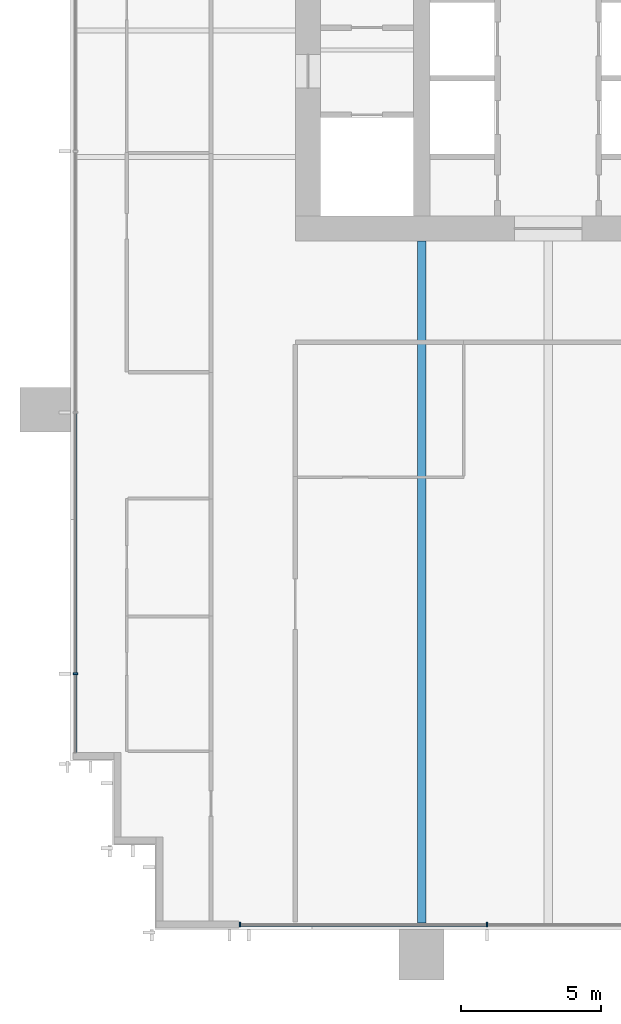
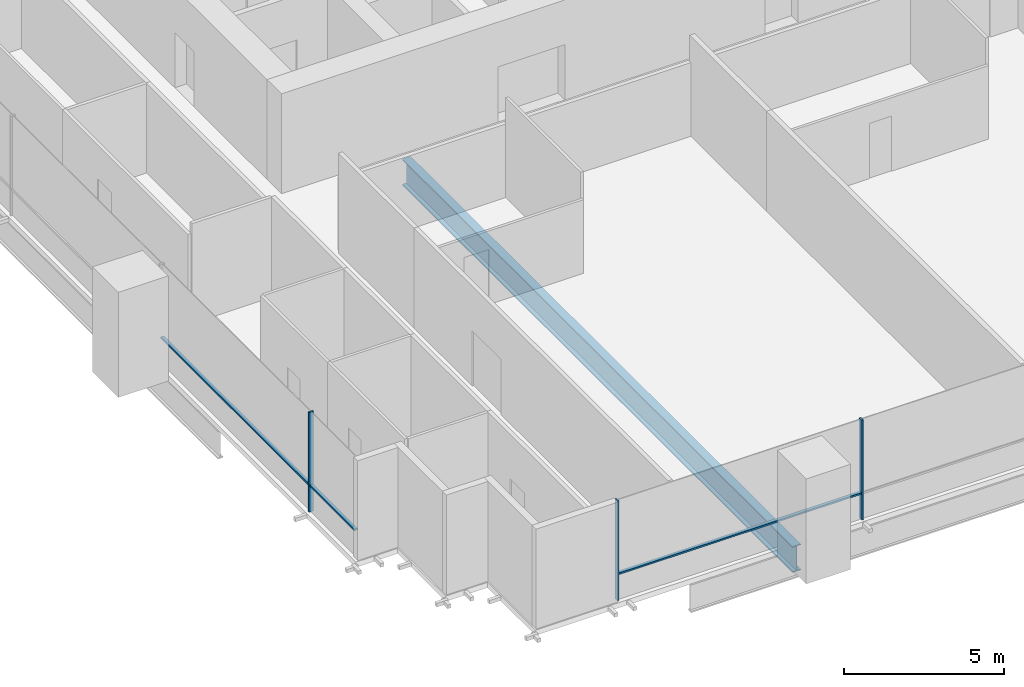
# One storey, part 2 of 17: 6 members, 1 beam, 2 elements without a shape of their own.
"""IFC4 building model written with IfcOpenShell, lengths in metres."""

import ifcopenshell
import ifcopenshell.guid

model = None  # the IFC model being written
_history = None  # IfcOwnerHistory: only IFC2X3 demands one
_inside = {}  # id of a spatial element -> (the spatial element, [elements in it])
_under = {}  # id of a project, library or spatial element -> (it, [spatial elements below it])
_declared = {}  # id of a project -> (the project, [libraries it declares])
_typed = {}  # id of a type object -> (the type object, [elements of that type])
_made_of = {}  # id of a material, layer set ... -> (it, [elements and type objects made of it])


def new_model(schema):
    """Start an empty IFC model of exactly this schema.

    Asked for "IFC4X3", IfcOpenShell would pick the latest addendum, in which some entities
    have other attributes; the version numbers below select the first issue.
    IFC2X3 requires an IfcOwnerHistory on every rooted entity: one is made here for all.
    """
    global model, _history
    if schema == "IFC4X3":
        model = ifcopenshell.file(schema_version=(4, 3, 0, 0))
    else:
        model = ifcopenshell.file(schema=schema)
    _inside.clear()
    _under.clear()
    _declared.clear()
    _typed.clear()
    _made_of.clear()
    _history = None
    if model.schema == "IFC2X3":
        org = make("IfcOrganization", Name="unknown")
        user = make(
            "IfcPersonAndOrganization",
            ThePerson=make("IfcPerson", FamilyName="unknown"),
            TheOrganization=org,
        )
        app = make(
            "IfcApplication",
            ApplicationDeveloper=org,
            Version="unknown",
            ApplicationFullName="unknown",
            ApplicationIdentifier="unknown",
        )
        _history = make(
            "IfcOwnerHistory",
            OwningUser=user,
            OwningApplication=app,
            ChangeAction="ADDED",
            CreationDate=0,
        )
    return model


def make(cls, **values):
    """One entity of the class cls with the attributes given. An attribute that is None is left unset."""
    return model.create_entity(
        cls, **{name: value for name, value in values.items() if value is not None}
    )


def rooted(cls, **values):
    """An entity with a GlobalId (a new one), such as an element, a storey or a relation."""
    return make(cls, GlobalId=ifcopenshell.guid.new(), OwnerHistory=_history, **values)


def si_unit(unit_type, name, prefix=None):
    """IfcSIUnit, for example si_unit("LENGTHUNIT", "METRE", prefix="MILLI")."""
    return make("IfcSIUnit", UnitType=unit_type, Prefix=prefix, Name=name)


def assignment(units):
    """IfcUnitAssignment: the units of a project."""
    return None if units is None else make("IfcUnitAssignment", Units=units)


def point(xyz):
    """IfcCartesianPoint."""
    return None if xyz is None else make("IfcCartesianPoint", Coordinates=xyz)


def direction(xyz):
    """IfcDirection."""
    return None if xyz is None else make("IfcDirection", DirectionRatios=xyz)


def frame(location, z_axis=None, x_axis=None):
    """IfcAxis2Placement3D, a coordinate frame: its origin and axes. An axis left out is left unset."""
    return make(
        "IfcAxis2Placement3D",
        Location=point(location),
        Axis=direction(z_axis),
        RefDirection=direction(x_axis),
    )


def frame_2d(location, x_axis=None):
    """IfcAxis2Placement2D, a coordinate frame in the plane: its origin and x axis."""
    return make(
        "IfcAxis2Placement2D", Location=point(location), RefDirection=direction(x_axis)
    )


def origin():
    """The frame at (0, 0, 0) with its axes left unset."""
    return frame((0.0, 0.0, 0.0))


def origin_2d():
    """The frame at (0, 0) in the plane with its x axis left unset."""
    return frame_2d((0.0, 0.0))


def place(relative_to, where):
    """IfcLocalPlacement: puts the frame where relative to a parent placement (None: the world)."""
    return make(
        "IfcLocalPlacement", PlacementRelTo=relative_to, RelativePlacement=where
    )


def context(
    kind, dimensions, precision=None, world=None, true_north=None, identifier=None
):
    """IfcGeometricRepresentationContext, for example the 3D "Model" context."""
    return make(
        "IfcGeometricRepresentationContext",
        ContextIdentifier=identifier,
        ContextType=kind,
        CoordinateSpaceDimension=dimensions,
        Precision=precision,
        WorldCoordinateSystem=world,
        TrueNorth=true_north,
    )


def subcontext(parent, identifier, kind, view, scale=None):
    """IfcGeometricRepresentationSubContext, for example "Body" below "Model"."""
    return make(
        "IfcGeometricRepresentationSubContext",
        ContextIdentifier=identifier,
        ContextType=kind,
        ParentContext=parent,
        TargetScale=scale,
        TargetView=view,
    )


def project(units=None, contexts=None):
    """IfcProject with its units and contexts."""
    return rooted(
        "IfcProject",
        Name="project",
        RepresentationContexts=contexts,
        UnitsInContext=assignment(units),
    )


def spatial(cls, under=None, at=None, **own):
    """A site, building, storey or space (cls), placed at a placement, below another one or the project."""
    s = rooted(cls, ObjectPlacement=at, **own)
    if under is not None:
        _under.setdefault(under.id(), (under, []))[1].append(s)
    return s


def profile(cls, at=None, kind="AREA", **sizes):
    """A parametric profile (cls). Its sizes go by their IFC names, for example OverallWidth=200.0."""
    return make(cls, ProfileType=kind, Position=at, **sizes)


def rectangle(**sizes):
    """IfcRectangleProfileDef."""
    return profile("IfcRectangleProfileDef", **sizes)


def i_section(**sizes):
    """IfcIShapeProfileDef."""
    return profile("IfcIShapeProfileDef", **sizes)


def extrude(swept, where, along, depth):
    """IfcExtrudedAreaSolid: the profile swept, set in the frame where, extruded along a direction by depth."""
    return make(
        "IfcExtrudedAreaSolid",
        SweptArea=swept,
        Position=where,
        ExtrudedDirection=direction(along),
        Depth=depth,
    )


def shape(context_of_items, identifier, shape_type, items):
    """IfcShapeRepresentation: the items that make up one representation, for example the "Body"."""
    return make(
        "IfcShapeRepresentation",
        ContextOfItems=context_of_items,
        RepresentationIdentifier=identifier,
        RepresentationType=shape_type,
        Items=items,
    )


def material(Name=None, Category=None):
    """IfcMaterial."""
    return make("IfcMaterial", Name=Name, Category=Category)


def material_profile(
    of_material, cross_section, Name=None, Category=None, Priority=None
):
    """IfcMaterialProfile: a cross section and its material."""
    return make(
        "IfcMaterialProfile",
        Name=Name,
        Material=of_material,
        Profile=cross_section,
        Priority=Priority,
        Category=Category,
    )


def profile_set(profiles, Name=None, composite=None):
    """IfcMaterialProfileSet."""
    return make(
        "IfcMaterialProfileSet",
        Name=Name,
        MaterialProfiles=profiles,
        CompositeProfile=composite,
    )


def made_of(thing, what):
    """Note that an element or type object is made of a material, layer set ...; save() writes the relation."""
    if what is not None:
        _made_of.setdefault(what.id(), (what, []))[1].append(thing)
    return thing


def type_object(cls, material=None, **own):
    """A type object (cls), such as IfcWallType, which elements share."""
    return made_of(rooted(cls, **own), material)


def element(
    cls,
    number,
    at=None,
    inside=None,
    cuts=None,
    type_object=None,
    material=None,
    context=None,
    identifier="Body",
    shape_type=None,
    held_by="IfcProductDefinitionShape",
    body=None,
    shapes=None,
    **own,
):
    """One element of the class cls, such as IfcWall. Its Tag is "e" and its number.

    at: its placement. inside: the storey or other place that contains it. cuts: it is an
    opening in that element (IfcRelVoidsElement). A single representation is given by context,
    identifier, shape_type and body (its items); several are given by shapes. held_by: the class
    of the entity that holds the representations. save() writes the other relations.
    """
    e = rooted(cls, Tag="e%d" % number, ObjectPlacement=at, **own)
    if body is not None:
        shapes = [shape(context, identifier, shape_type, body)]
    if shapes is not None:
        e.Representation = make(held_by, Representations=shapes)
    if inside is not None:
        _inside.setdefault(inside.id(), (inside, []))[1].append(e)
    if cuts is not None:
        rooted(
            "IfcRelVoidsElement", RelatingBuildingElement=cuts, RelatedOpeningElement=e
        )
    if type_object is not None:
        _typed.setdefault(type_object.id(), (type_object, []))[1].append(e)
    return made_of(e, material)


def aggregate(whole, parts):
    """IfcRelAggregates: a whole, such as a stair, and the parts it consists of."""
    return rooted("IfcRelAggregates", RelatingObject=whole, RelatedObjects=parts)


def save(model, path):
    """Write the relations noted so far, then the file.

    IfcRelAggregates (storeys below a building ...), IfcRelContainedInSpatialStructure (elements
    in a storey), IfcRelDefinesByType, IfcRelAssociatesMaterial and IfcRelDeclares: one each for
    every whole, place, type object, material and project.
    """
    for whole, parts in _under.values():
        aggregate(whole, parts)
    for where, things in _inside.values():
        rooted(
            "IfcRelContainedInSpatialStructure",
            RelatedElements=things,
            RelatingStructure=where,
        )
    for kind, things in _typed.values():
        rooted("IfcRelDefinesByType", RelatedObjects=things, RelatingType=kind)
    for what, things in _made_of.values():
        rooted("IfcRelAssociatesMaterial", RelatedObjects=things, RelatingMaterial=what)
    for by, libraries in _declared.values():
        rooted("IfcRelDeclares", RelatingContext=by, RelatedDefinitions=libraries)
    model.write(path)


model = new_model("IFC4")

# Units and contexts
model_context = context("Model", 3, precision=1e-05, world=origin(), true_north=direction((0.0, 1.0)))
body_context = subcontext(model_context, "Body", "Model", "MODEL_VIEW")
ifc_project = project(units=[si_unit("LENGTHUNIT", "METRE"), si_unit("AREAUNIT", "SQUARE_METRE"), si_unit("VOLUMEUNIT", "CUBIC_METRE"), si_unit("PLANEANGLEUNIT", "RADIAN"), si_unit("MASSUNIT", "GRAM", prefix="KILO")], contexts=[model_context])

# Site, building, storey
site_placement = place(None, origin())
site = spatial("IfcSite", under=ifc_project, at=site_placement, CompositionType="ELEMENT")
building_placement = place(site_placement, origin())
building = spatial("IfcBuilding", under=site, at=building_placement, Name="Rattan Terrace Tower", CompositionType="ELEMENT")
storey_placement = place(building_placement, frame((0.0, 0.0, 107.699951171875)))
storey = spatial("IfcBuildingStorey", under=building, at=storey_placement, Name="L24", CompositionType="ELEMENT", Elevation=107.699951171875)

# Curtain wall, member
ifc_material_1 = material(Name="Aluminium and glass", Category="aluminium")
curtain_wall_type = type_object("IfcCurtainWallType", Name="Facade Unitised Curtain Wall", PredefinedType="NOTDEFINED", material=ifc_material_1)
curtain_wall_1_placement = place(storey_placement, origin())
curtain_wall_1 = element("IfcCurtainWall", 1, at=curtain_wall_1_placement, inside=storey, type_object=curtain_wall_type, Name="Curtain wall L24-3", PredefinedType="NOTDEFINED")
ifc_material_2 = material(Name="Aluminium", Category="aluminium")
ifc_material_profile_1 = material_profile(ifc_material_2, rectangle(XDim=0.06005859375, YDim=0.159912109375, at=origin_2d()), Name="Aluminium 60x160")
ifc_profile_set_1 = profile_set([ifc_material_profile_1], Name="Aluminium")
member_type_1 = type_object("IfcMemberType", Name="Facade CW Mullion 60x160", PredefinedType="MULLION", material=ifc_profile_set_1)
member_1_placement = place(storey_placement, frame((-25.830078125, -22.89990234375, 0.0), z_axis=(0.0, 0.0, 1.0), x_axis=(0.0, -1.0, 0.0)))
member_1 = element("IfcMember", 2, at=member_1_placement, type_object=member_type_1, Name="Mullion cwl-L24-003.4", PredefinedType="MULLION", context=body_context, shape_type="SweptSolid", body=[
    extrude(rectangle(XDim=0.06005859375, YDim=0.159912109375, at=origin_2d()), origin(), (0.0, 0.0, 1.0), 3.800048828125),
])

# Curtain wall, members
curtain_wall_2_placement = place(storey_placement, origin())
curtain_wall_2 = element("IfcCurtainWall", 3, at=curtain_wall_2_placement, inside=storey, type_object=curtain_wall_type, Name="Curtain wall L24-4", PredefinedType="NOTDEFINED")
member_2_placement = place(storey_placement, frame((-19.969970703125, -31.830078125, 0.0), z_axis=(0.0, 0.0, 1.0), x_axis=(1.0, 0.0, 0.0)))
member_2 = element("IfcMember", 4, at=member_2_placement, type_object=member_type_1, Name="Mullion cwl-L24-004.1", PredefinedType="MULLION", context=body_context, shape_type="SweptSolid", body=[
    extrude(rectangle(XDim=0.06005859375, YDim=0.159912109375, at=origin_2d()), origin(), (0.0, 0.0, 1.0), 3.800048828125),
])
member_3_placement = place(storey_placement, frame((-11.177001953125, -31.830078125, 0.0), z_axis=(0.0, 0.0, 1.0), x_axis=(1.0, 0.0, 0.0)))
member_3 = element("IfcMember", 5, at=member_3_placement, type_object=member_type_1, Name="Mullion cwl-L24-004.2", PredefinedType="MULLION", context=body_context, shape_type="SweptSolid", body=[
    extrude(rectangle(XDim=0.06005859375, YDim=0.159912109375, at=origin_2d()), origin(), (0.0, 0.0, 1.0), 3.800048828125),
])

# Member
ifc_material_3 = material(Name="Aluminium", Category="aluminium")
ifc_material_profile_2 = material_profile(ifc_material_3, rectangle(XDim=0.1201171875, YDim=0.06005859375, at=origin_2d()), Name="Aluminium 120x60")
ifc_profile_set_2 = profile_set([ifc_material_profile_2], Name="Aluminium")
member_type_2 = type_object("IfcMemberType", Name="Facade CW Transom 120x60", PredefinedType="USERDEFINED", material=ifc_profile_set_2)
member_4_placement = place(storey_placement, frame((-25.830078125, -13.6298828125, 1.0), z_axis=(0.0, -1.0, 0.0), x_axis=(1.0, 0.0, 0.0)))
member_4 = element("IfcMember", 6, at=member_4_placement, type_object=member_type_2, Name="Transom cwl-L24-003.3", ObjectType="TRANSOM", PredefinedType="USERDEFINED", context=body_context, shape_type="SweptSolid", body=[
    extrude(rectangle(XDim=0.1201171875, YDim=0.06005859375, at=origin_2d()), origin(), (0.0, 0.0, 1.0), 9.240234375),
])

member_5_placement = place(storey_placement, frame((-25.830078125, -22.929931640625, 1.0), z_axis=(0.0, -1.0, 0.0), x_axis=(1.0, 0.0, 0.0)))
member_5 = element("IfcMember", 7, at=member_5_placement, type_object=member_type_2, Name="Transom cwl-L24-003.4", ObjectType="TRANSOM", PredefinedType="USERDEFINED", context=body_context, shape_type="SweptSolid", body=[
    extrude(rectangle(XDim=0.1201171875, YDim=0.06005859375, at=origin_2d()), origin(), (0.0, 0.0, 1.0), 2.775146484375),
])

aggregate(curtain_wall_1, [member_1, member_4, member_5])

member_6_placement = place(storey_placement, frame((-19.93994140625, -31.830078125, 1.0), z_axis=(1.0, 0.0, 0.0), x_axis=(0.0, 1.0, 0.0)))
member_6 = element("IfcMember", 8, at=member_6_placement, type_object=member_type_2, Name="Transom cwl-L24-004.1", ObjectType="TRANSOM", PredefinedType="USERDEFINED", context=body_context, shape_type="SweptSolid", body=[
    extrude(rectangle(XDim=0.1201171875, YDim=0.06005859375, at=origin_2d()), origin(), (0.0, 0.0, 1.0), 8.73291015625),
])

aggregate(curtain_wall_2, [member_2, member_3, member_6])

# Beam
ifc_material_4 = material(Name="Steel S460", Category="steel")
ifc_material_profile_3 = material_profile(ifc_material_4, i_section(OverallWidth=0.300048828125, OverallDepth=1.0, WebThickness=0.013916015625, FlangeThickness=0.0400390625, at=origin_2d()), Name="PG 1000x300-14-40")
ifc_profile_set_3 = profile_set([ifc_material_profile_3], Name="Steel S460")
beam_type = type_object("IfcBeamType", Name="Frame floor beam PG 1000x300-14-40", PredefinedType="JOIST", material=ifc_profile_set_3)
beam_placement = place(storey_placement, frame((-13.5, -31.820068359375, -0.699951171875), z_axis=(0.0, 1.0, 0.0), x_axis=(-1.0, 0.0, 0.0)))
element("IfcBeam", 9, at=beam_placement, inside=storey, type_object=beam_type, Name="bm-L24-003", PredefinedType="JOIST", context=body_context, shape_type="SweptSolid", body=[
    extrude(i_section(OverallWidth=0.300048828125, OverallDepth=1.0, WebThickness=0.013916015625, FlangeThickness=0.0400390625, at=origin_2d()), origin(), (0.0, 0.0, 1.0), 24.320068359375),
])

save(model, "model.ifc")
